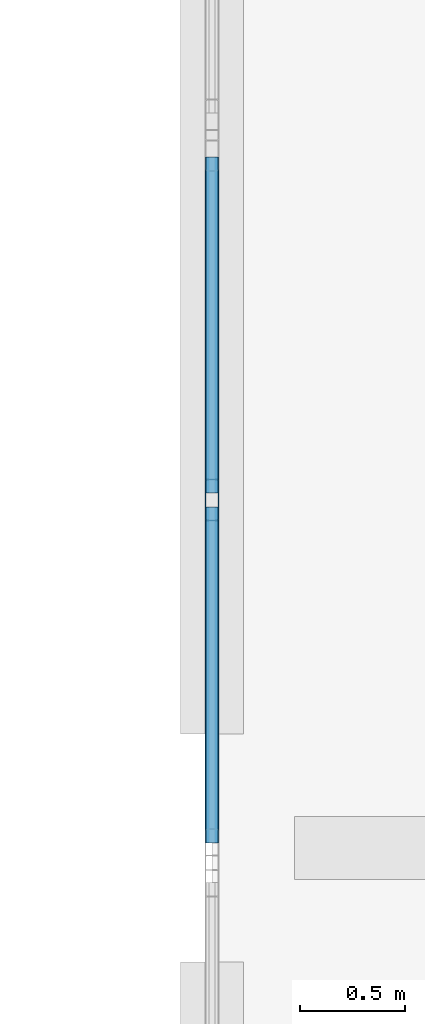
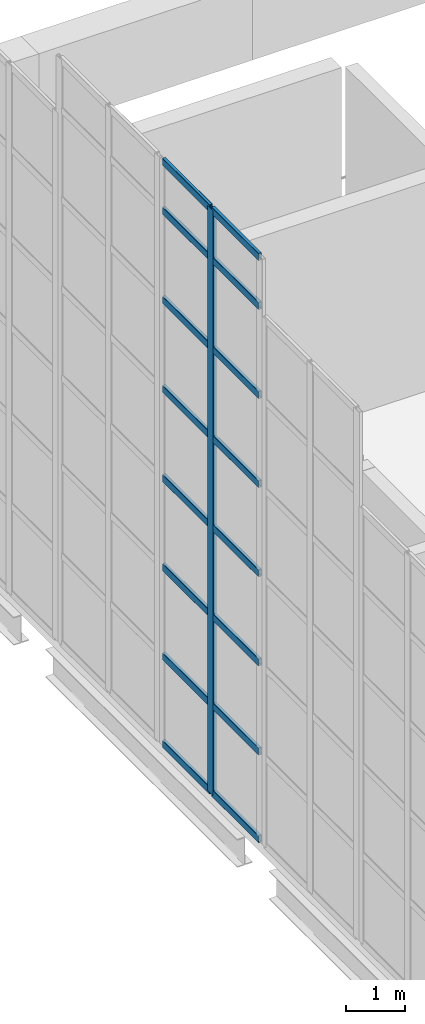
# One storey, part 10 of 37: 17 members, 1 element without a shape of its own.
"""IFC4 building model written with IfcOpenShell, lengths in metres."""

from ifc_helpers import new_model, si_unit, direction, frame, origin, origin_2d, place, context, subcontext, project, spatial, hollow_rectangle, extrude, material, material_profile, profile_set, type_object, element, aggregate, save


model = new_model("IFC4")

# Units and contexts
model_context = context("Model", 3, precision=1e-05, world=origin(), true_north=direction((0.0, 1.0)))
body_context = subcontext(model_context, "Body", "Model", "MODEL_VIEW")
ifc_project = project(units=[si_unit("LENGTHUNIT", "METRE"), si_unit("AREAUNIT", "SQUARE_METRE"), si_unit("VOLUMEUNIT", "CUBIC_METRE"), si_unit("PLANEANGLEUNIT", "RADIAN"), si_unit("MASSUNIT", "GRAM", prefix="KILO")], contexts=[model_context])

# Site, building, storey
site_placement = place(None, origin())
site = spatial("IfcSite", under=ifc_project, at=site_placement, CompositionType="ELEMENT")
building_placement = place(site_placement, origin())
building = spatial("IfcBuilding", under=site, at=building_placement, Name="Shengluoqiao Park Theatre", CompositionType="ELEMENT")
storey_placement = place(building_placement, frame((0.0, 0.0, 19.199951171875)))
storey = spatial("IfcBuildingStorey", under=building, at=storey_placement, Name="L04", CompositionType="ELEMENT", Elevation=19.199951171875)

# Curtain wall, members
ifc_material = material(Name="Aluminium 6063-T6", Category="aluminium")
curtain_wall_type = type_object("IfcCurtainWallType", Name="ENV-CW-CLERE", PredefinedType="NOTDEFINED", material=ifc_material)
curtain_wall_placement = place(storey_placement, origin())
curtain_wall = element("IfcCurtainWall", 1, at=curtain_wall_placement, inside=storey, type_object=curtain_wall_type, Name="L04 Curtain Wall CW-L04-GABLE-0224", PredefinedType="NOTDEFINED")
ifc_material_profile_1 = material_profile(ifc_material, hollow_rectangle(XDim=0.06494140625, YDim=0.199951171875, WallThickness=0.0048828125, InnerFilletRadius=0.0048828125, OuterFilletRadius=0.010009765625, at=origin_2d()), Name="ALU MULLION 200x65x5")
ifc_profile_set_1 = profile_set([ifc_material_profile_1], Name="Aluminium 6063-T6")
member_type_1 = type_object("IfcMemberType", Name="ENV-MUL-200", PredefinedType="MULLION", material=ifc_profile_set_1)
member_1_placement = place(storey_placement, frame((44.39990234375, 93.260009765625, 0.0), z_axis=(0.0, 0.0, 1.0), x_axis=(-1.0, 0.0, 0.0)))
member_1 = element("IfcMember", 2, at=member_1_placement, type_object=member_type_1, Name="CW-06 mullion 2", PredefinedType="MULLION", context=body_context, shape_type="SweptSolid", body=[
    extrude(hollow_rectangle(XDim=0.06494140625, YDim=0.199951171875, WallThickness=0.0048828125, InnerFilletRadius=0.0048828125, OuterFilletRadius=0.010009765625, at=origin_2d()), origin(), (0.0, 0.0, 1.0), 12.14697265625),
])
ifc_material_profile_2 = material_profile(ifc_material, hollow_rectangle(XDim=0.06494140625, YDim=0.14990234375, WallThickness=0.00390625, InnerFilletRadius=0.00390625, OuterFilletRadius=0.008056640625, at=origin_2d()), Name="ALU TRANSOM 150x65x4")
ifc_profile_set_2 = profile_set([ifc_material_profile_2], Name="Aluminium 6063-T6")
member_type_2 = type_object("IfcMemberType", Name="ENV-TRN-150", PredefinedType="USERDEFINED", material=ifc_profile_set_2)
member_2_placement = place(storey_placement, frame((44.39990234375, 91.625, 0.032470703125), z_axis=(0.0, 1.0, 0.0), x_axis=(-1.0, 0.0, 0.0)))
member_2 = element("IfcMember", 3, at=member_2_placement, type_object=member_type_2, Name="CW-06 transom 1.1", ObjectType="TRANSOM", PredefinedType="USERDEFINED", context=body_context, shape_type="SweptSolid", body=[
    extrude(hollow_rectangle(XDim=0.06494140625, YDim=0.14990234375, WallThickness=0.00390625, InnerFilletRadius=0.00390625, OuterFilletRadius=0.008056640625, at=origin_2d()), origin(), (0.0, 0.0, 1.0), 1.6025390625),
])
member_3_placement = place(storey_placement, frame((44.39990234375, 91.625, 1.85009765625), z_axis=(0.0, 1.0, 0.0), x_axis=(-1.0, 0.0, 0.0)))
member_3 = element("IfcMember", 4, at=member_3_placement, type_object=member_type_2, Name="CW-06 transom 1.2", ObjectType="TRANSOM", PredefinedType="USERDEFINED", context=body_context, shape_type="SweptSolid", body=[
    extrude(hollow_rectangle(XDim=0.06494140625, YDim=0.14990234375, WallThickness=0.00390625, InnerFilletRadius=0.00390625, OuterFilletRadius=0.008056640625, at=origin_2d()), origin(), (0.0, 0.0, 1.0), 1.6025390625),
])
member_4_placement = place(storey_placement, frame((44.39990234375, 91.625, 3.699951171875), z_axis=(0.0, 1.0, 0.0), x_axis=(-1.0, 0.0, 0.0)))
member_4 = element("IfcMember", 5, at=member_4_placement, type_object=member_type_2, Name="CW-06 transom 1.3", ObjectType="TRANSOM", PredefinedType="USERDEFINED", context=body_context, shape_type="SweptSolid", body=[
    extrude(hollow_rectangle(XDim=0.06494140625, YDim=0.14990234375, WallThickness=0.00390625, InnerFilletRadius=0.00390625, OuterFilletRadius=0.008056640625, at=origin_2d()), origin(), (0.0, 0.0, 1.0), 1.6025390625),
])
member_5_placement = place(storey_placement, frame((44.39990234375, 91.625, 5.550048828125), z_axis=(0.0, 1.0, 0.0), x_axis=(-1.0, 0.0, 0.0)))
member_5 = element("IfcMember", 6, at=member_5_placement, type_object=member_type_2, Name="CW-06 transom 1.4", ObjectType="TRANSOM", PredefinedType="USERDEFINED", context=body_context, shape_type="SweptSolid", body=[
    extrude(hollow_rectangle(XDim=0.06494140625, YDim=0.14990234375, WallThickness=0.00390625, InnerFilletRadius=0.00390625, OuterFilletRadius=0.008056640625, at=origin_2d()), origin(), (0.0, 0.0, 1.0), 1.6025390625),
])
member_6_placement = place(storey_placement, frame((44.39990234375, 91.625, 7.400146484375), z_axis=(0.0, 1.0, 0.0), x_axis=(-1.0, 0.0, 0.0)))
member_6 = element("IfcMember", 7, at=member_6_placement, type_object=member_type_2, Name="CW-06 transom 1.5", ObjectType="TRANSOM", PredefinedType="USERDEFINED", context=body_context, shape_type="SweptSolid", body=[
    extrude(hollow_rectangle(XDim=0.06494140625, YDim=0.14990234375, WallThickness=0.00390625, InnerFilletRadius=0.00390625, OuterFilletRadius=0.008056640625, at=origin_2d()), origin(), (0.0, 0.0, 1.0), 1.6025390625),
])
member_7_placement = place(storey_placement, frame((44.39990234375, 91.625, 9.25), z_axis=(0.0, 1.0, 0.0), x_axis=(-1.0, 0.0, 0.0)))
member_7 = element("IfcMember", 8, at=member_7_placement, type_object=member_type_2, Name="CW-06 transom 1.6", ObjectType="TRANSOM", PredefinedType="USERDEFINED", context=body_context, shape_type="SweptSolid", body=[
    extrude(hollow_rectangle(XDim=0.06494140625, YDim=0.14990234375, WallThickness=0.00390625, InnerFilletRadius=0.00390625, OuterFilletRadius=0.008056640625, at=origin_2d()), origin(), (0.0, 0.0, 1.0), 1.6025390625),
])
member_8_placement = place(storey_placement, frame((44.39990234375, 91.625, 11.10009765625), z_axis=(0.0, 1.0, 0.0), x_axis=(-1.0, 0.0, 0.0)))
member_8 = element("IfcMember", 9, at=member_8_placement, type_object=member_type_2, Name="CW-06 transom 1.7", ObjectType="TRANSOM", PredefinedType="USERDEFINED", context=body_context, shape_type="SweptSolid", body=[
    extrude(hollow_rectangle(XDim=0.06494140625, YDim=0.14990234375, WallThickness=0.00390625, InnerFilletRadius=0.00390625, OuterFilletRadius=0.008056640625, at=origin_2d()), origin(), (0.0, 0.0, 1.0), 1.6025390625),
])
member_9_placement = place(storey_placement, frame((44.39990234375, 91.625, 12.114501953125), z_axis=(0.0, 1.0, 0.0), x_axis=(-1.0, 0.0, 0.0)))
member_9 = element("IfcMember", 10, at=member_9_placement, type_object=member_type_2, Name="CW-06 transom 1.8", ObjectType="TRANSOM", PredefinedType="USERDEFINED", context=body_context, shape_type="SweptSolid", body=[
    extrude(hollow_rectangle(XDim=0.06494140625, YDim=0.14990234375, WallThickness=0.00390625, InnerFilletRadius=0.00390625, OuterFilletRadius=0.008056640625, at=origin_2d()), origin(), (0.0, 0.0, 1.0), 1.6025390625),
])
member_10_placement = place(storey_placement, frame((44.39990234375, 93.29248046875, 0.032470703125), z_axis=(0.0, 1.0, 0.0), x_axis=(-1.0, 0.0, 0.0)))
member_10 = element("IfcMember", 11, at=member_10_placement, type_object=member_type_2, Name="CW-06 transom 2.1", ObjectType="TRANSOM", PredefinedType="USERDEFINED", context=body_context, shape_type="SweptSolid", body=[
    extrude(hollow_rectangle(XDim=0.06494140625, YDim=0.14990234375, WallThickness=0.00390625, InnerFilletRadius=0.00390625, OuterFilletRadius=0.008056640625, at=origin_2d()), origin(), (0.0, 0.0, 1.0), 1.6025390625),
])
member_11_placement = place(storey_placement, frame((44.39990234375, 93.29248046875, 1.85009765625), z_axis=(0.0, 1.0, 0.0), x_axis=(-1.0, 0.0, 0.0)))
member_11 = element("IfcMember", 12, at=member_11_placement, type_object=member_type_2, Name="CW-06 transom 2.2", ObjectType="TRANSOM", PredefinedType="USERDEFINED", context=body_context, shape_type="SweptSolid", body=[
    extrude(hollow_rectangle(XDim=0.06494140625, YDim=0.14990234375, WallThickness=0.00390625, InnerFilletRadius=0.00390625, OuterFilletRadius=0.008056640625, at=origin_2d()), origin(), (0.0, 0.0, 1.0), 1.6025390625),
])
member_12_placement = place(storey_placement, frame((44.39990234375, 93.29248046875, 3.699951171875), z_axis=(0.0, 1.0, 0.0), x_axis=(-1.0, 0.0, 0.0)))
member_12 = element("IfcMember", 13, at=member_12_placement, type_object=member_type_2, Name="CW-06 transom 2.3", ObjectType="TRANSOM", PredefinedType="USERDEFINED", context=body_context, shape_type="SweptSolid", body=[
    extrude(hollow_rectangle(XDim=0.06494140625, YDim=0.14990234375, WallThickness=0.00390625, InnerFilletRadius=0.00390625, OuterFilletRadius=0.008056640625, at=origin_2d()), origin(), (0.0, 0.0, 1.0), 1.6025390625),
])
member_13_placement = place(storey_placement, frame((44.39990234375, 93.29248046875, 5.550048828125), z_axis=(0.0, 1.0, 0.0), x_axis=(-1.0, 0.0, 0.0)))
member_13 = element("IfcMember", 14, at=member_13_placement, type_object=member_type_2, Name="CW-06 transom 2.4", ObjectType="TRANSOM", PredefinedType="USERDEFINED", context=body_context, shape_type="SweptSolid", body=[
    extrude(hollow_rectangle(XDim=0.06494140625, YDim=0.14990234375, WallThickness=0.00390625, InnerFilletRadius=0.00390625, OuterFilletRadius=0.008056640625, at=origin_2d()), origin(), (0.0, 0.0, 1.0), 1.6025390625),
])
member_14_placement = place(storey_placement, frame((44.39990234375, 93.29248046875, 7.400146484375), z_axis=(0.0, 1.0, 0.0), x_axis=(-1.0, 0.0, 0.0)))
member_14 = element("IfcMember", 15, at=member_14_placement, type_object=member_type_2, Name="CW-06 transom 2.5", ObjectType="TRANSOM", PredefinedType="USERDEFINED", context=body_context, shape_type="SweptSolid", body=[
    extrude(hollow_rectangle(XDim=0.06494140625, YDim=0.14990234375, WallThickness=0.00390625, InnerFilletRadius=0.00390625, OuterFilletRadius=0.008056640625, at=origin_2d()), origin(), (0.0, 0.0, 1.0), 1.6025390625),
])
member_15_placement = place(storey_placement, frame((44.39990234375, 93.29248046875, 9.25), z_axis=(0.0, 1.0, 0.0), x_axis=(-1.0, 0.0, 0.0)))
member_15 = element("IfcMember", 16, at=member_15_placement, type_object=member_type_2, Name="CW-06 transom 2.6", ObjectType="TRANSOM", PredefinedType="USERDEFINED", context=body_context, shape_type="SweptSolid", body=[
    extrude(hollow_rectangle(XDim=0.06494140625, YDim=0.14990234375, WallThickness=0.00390625, InnerFilletRadius=0.00390625, OuterFilletRadius=0.008056640625, at=origin_2d()), origin(), (0.0, 0.0, 1.0), 1.6025390625),
])
member_16_placement = place(storey_placement, frame((44.39990234375, 93.29248046875, 11.10009765625), z_axis=(0.0, 1.0, 0.0), x_axis=(-1.0, 0.0, 0.0)))
member_16 = element("IfcMember", 17, at=member_16_placement, type_object=member_type_2, Name="CW-06 transom 2.7", ObjectType="TRANSOM", PredefinedType="USERDEFINED", context=body_context, shape_type="SweptSolid", body=[
    extrude(hollow_rectangle(XDim=0.06494140625, YDim=0.14990234375, WallThickness=0.00390625, InnerFilletRadius=0.00390625, OuterFilletRadius=0.008056640625, at=origin_2d()), origin(), (0.0, 0.0, 1.0), 1.6025390625),
])
member_17_placement = place(storey_placement, frame((44.39990234375, 93.29248046875, 12.114501953125), z_axis=(0.0, 1.0, 0.0), x_axis=(-1.0, 0.0, 0.0)))
member_17 = element("IfcMember", 18, at=member_17_placement, type_object=member_type_2, Name="CW-06 transom 2.8", ObjectType="TRANSOM", PredefinedType="USERDEFINED", context=body_context, shape_type="SweptSolid", body=[
    extrude(hollow_rectangle(XDim=0.06494140625, YDim=0.14990234375, WallThickness=0.00390625, InnerFilletRadius=0.00390625, OuterFilletRadius=0.008056640625, at=origin_2d()), origin(), (0.0, 0.0, 1.0), 1.6025390625),
])
aggregate(curtain_wall, [member_1, member_2, member_3, member_4, member_5, member_6, member_7, member_8, member_9, member_10, member_11, member_12, member_13, member_14, member_15, member_16, member_17])

save(model, "model.ifc")
